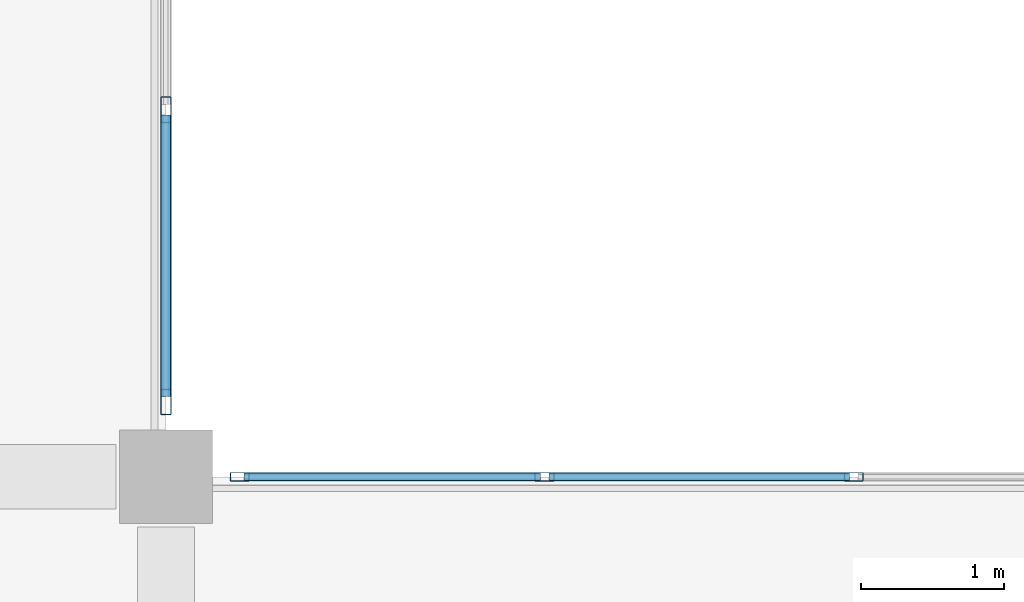
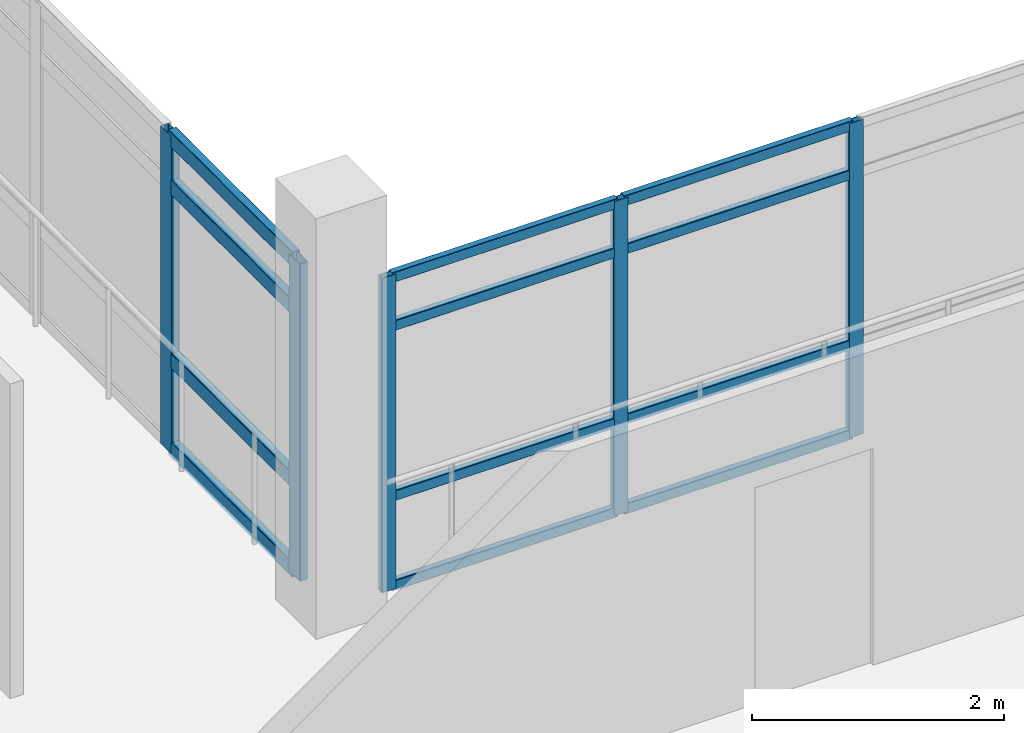
# One storey, part 17 of 72: 17 members, 2 elements without a shape of their own.
"""IFC4 building model written with IfcOpenShell, lengths in metres."""

from ifc_helpers import new_model, si_unit, direction, frame, origin, origin_2d, place, context, subcontext, project, spatial, hollow_rectangle, extrude, material, layer, layer_set, material_profile, profile_set, type_object, element, aggregate, save


model = new_model("IFC4")

# Units and contexts
model_context = context("Model", 3, precision=1e-05, world=origin(), true_north=direction((0.0, 1.0)))
body_context = subcontext(model_context, "Body", "Model", "MODEL_VIEW")
ifc_project = project(units=[si_unit("LENGTHUNIT", "METRE"), si_unit("AREAUNIT", "SQUARE_METRE"), si_unit("VOLUMEUNIT", "CUBIC_METRE"), si_unit("PLANEANGLEUNIT", "RADIAN"), si_unit("MASSUNIT", "GRAM", prefix="KILO")], contexts=[model_context])

# Site, building, storey
site_placement = place(None, origin())
site = spatial("IfcSite", under=ifc_project, at=site_placement, CompositionType="ELEMENT")
building_placement = place(site_placement, origin())
building = spatial("IfcBuilding", under=site, at=building_placement, Name="Asteropetra Specialist Clinic", CompositionType="ELEMENT")
storey_placement = place(building_placement, frame((0.0, 0.0, 12.580078125)))
storey = spatial("IfcBuildingStorey", under=building, at=storey_placement, Name="L03", CompositionType="ELEMENT", Elevation=12.580078125)

# Curtain wall, members
ifc_material_1 = material(Name="Aluminium and low-E glass", Category="aluminium")
ifc_layer_1 = layer(ifc_material_1, 0.14990234375)
ifc_layer_set_1 = layer_set([ifc_layer_1], Name="Aluminium and low-E glass")
curtain_wall_type_1 = type_object("IfcCurtainWallType", Name="CW-SYS-02", PredefinedType="USERDEFINED", material=ifc_layer_set_1)
curtain_wall_1_placement = place(storey_placement, origin())
curtain_wall_1 = element("IfcCurtainWall", 1, at=curtain_wall_1_placement, inside=storey, type_object=curtain_wall_type_1, Name="Curtain Wall CW-041", ObjectType="UNITISED CURTAIN WALL", PredefinedType="USERDEFINED")
ifc_material_2 = material(Name="Aluminium 6063-T6", Category="aluminium")
ifc_material_profile_1 = material_profile(ifc_material_2, hollow_rectangle(XDim=0.06005859375, YDim=0.135009765625, WallThickness=0.00341796875, InnerFilletRadius=0.00341796875, OuterFilletRadius=0.007080078125, at=origin_2d()), Name="MUL 135x60x3.5")
ifc_profile_set_1 = profile_set([ifc_material_profile_1], Name="Aluminium 6063-T6")
member_type_1 = type_object("IfcMemberType", Name="CWM-135x60", PredefinedType="MULLION", material=ifc_profile_set_1)
member_1_placement = place(storey_placement, frame((10.114990234375, 76.800048828125, 0.0), z_axis=(0.0, 0.0, 1.0), x_axis=(0.0, 1.0, 0.0)))
member_1 = element("IfcMember", 2, at=member_1_placement, type_object=member_type_1, Name="CW-041 mullion 1", PredefinedType="MULLION", context=body_context, shape_type="SweptSolid", body=[
    extrude(hollow_rectangle(XDim=0.06005859375, YDim=0.135009765625, WallThickness=0.00341796875, InnerFilletRadius=0.00341796875, OuterFilletRadius=0.007080078125, at=origin_2d()), origin(), (0.0, 0.0, 1.0), 3.0498046875),
])
member_2_placement = place(storey_placement, frame((12.242431640625, 76.800048828125, 0.0), z_axis=(0.0, 0.0, 1.0), x_axis=(0.0, 1.0, 0.0)))
member_2 = element("IfcMember", 3, at=member_2_placement, type_object=member_type_1, Name="CW-041 mullion 2", PredefinedType="MULLION", context=body_context, shape_type="SweptSolid", body=[
    extrude(hollow_rectangle(XDim=0.06005859375, YDim=0.135009765625, WallThickness=0.00341796875, InnerFilletRadius=0.00341796875, OuterFilletRadius=0.007080078125, at=origin_2d()), origin(), (0.0, 0.0, 1.0), 3.0498046875),
])
member_3_placement = place(storey_placement, frame((14.39990234375, 76.800048828125, 0.0), z_axis=(0.0, 0.0, 1.0), x_axis=(0.0, 1.0, 0.0)))
member_3 = element("IfcMember", 4, at=member_3_placement, type_object=member_type_1, Name="CW-041 mullion 3", PredefinedType="MULLION", context=body_context, shape_type="SweptSolid", body=[
    extrude(hollow_rectangle(XDim=0.06005859375, YDim=0.135009765625, WallThickness=0.00341796875, InnerFilletRadius=0.00341796875, OuterFilletRadius=0.007080078125, at=origin_2d()), origin(), (0.0, 0.0, 1.0), 3.0498046875),
])

ifc_material_3 = material(Name="Aluminium and low-E glass", Category="aluminium")
ifc_layer_2 = layer(ifc_material_3, 0.179931640625)
ifc_layer_set_2 = layer_set([ifc_layer_2], Name="Aluminium and low-E glass")
curtain_wall_type_2 = type_object("IfcCurtainWallType", Name="CW-SYS-04", PredefinedType="USERDEFINED", material=ifc_layer_set_2)
curtain_wall_2_placement = place(storey_placement, origin())
curtain_wall_2 = element("IfcCurtainWall", 5, at=curtain_wall_2_placement, inside=storey, type_object=curtain_wall_type_2, Name="Curtain Wall CW-045", ObjectType="UNITISED CURTAIN WALL", PredefinedType="USERDEFINED")
ifc_material_4 = material(Name="Aluminium 6063-T6", Category="aluminium")
ifc_material_profile_2 = material_profile(ifc_material_4, hollow_rectangle(XDim=0.074951171875, YDim=0.179931640625, WallThickness=0.00390625, InnerFilletRadius=0.00390625, OuterFilletRadius=0.008056640625, at=origin_2d()), Name="MUL 180x75x4.0")
ifc_profile_set_2 = profile_set([ifc_material_profile_2], Name="Aluminium 6063-T6")
member_type_2 = type_object("IfcMemberType", Name="CWM-180x75", PredefinedType="MULLION", material=ifc_profile_set_2)
member_4_placement = place(storey_placement, frame((9.60009765625, 79.361572265625, 0.0), z_axis=(0.0, 0.0, 1.0), x_axis=(1.0, 0.0, 0.0)))
member_4 = element("IfcMember", 6, at=member_4_placement, type_object=member_type_2, Name="CW-045 mullion 3", PredefinedType="MULLION", context=body_context, shape_type="SweptSolid", body=[
    extrude(hollow_rectangle(XDim=0.074951171875, YDim=0.179931640625, WallThickness=0.00390625, InnerFilletRadius=0.00390625, OuterFilletRadius=0.008056640625, at=origin_2d()), origin(), (0.0, 0.0, 1.0), 3.079833984375),
])
member_5_placement = place(storey_placement, frame((9.60009765625, 77.322509765625, 0.0), z_axis=(0.0, 0.0, 1.0), x_axis=(1.0, 0.0, 0.0)))
member_5 = element("IfcMember", 7, at=member_5_placement, type_object=member_type_2, Name="CW-045 mullion 4", PredefinedType="MULLION", context=body_context, shape_type="SweptSolid", body=[
    extrude(hollow_rectangle(XDim=0.074951171875, YDim=0.179931640625, WallThickness=0.00390625, InnerFilletRadius=0.00390625, OuterFilletRadius=0.008056640625, at=origin_2d()), origin(), (0.0, 0.0, 1.0), 3.079833984375),
])

# Member
ifc_material_5 = material(Name="Aluminium 6063-T6", Category="aluminium")
ifc_material_profile_3 = material_profile(ifc_material_5, hollow_rectangle(XDim=0.06005859375, YDim=0.10009765625, WallThickness=0.00341796875, InnerFilletRadius=0.00341796875, OuterFilletRadius=0.007080078125, at=origin_2d()), Name="TRN 100x60x3.5")
ifc_profile_set_3 = profile_set([ifc_material_profile_3], Name="Aluminium 6063-T6")
member_type_3 = type_object("IfcMemberType", Name="CWT-100x60", PredefinedType="USERDEFINED", material=ifc_profile_set_3)
member_6_placement = place(storey_placement, frame((10.14501953125, 76.800048828125, 0.030029296875), z_axis=(1.0, 0.0, 0.0), x_axis=(0.0, 1.0, 0.0)))
member_6 = element("IfcMember", 8, at=member_6_placement, type_object=member_type_3, Name="CW-041 transom 1.1", ObjectType="TRANSOM", PredefinedType="USERDEFINED", context=body_context, shape_type="SweptSolid", body=[
    extrude(hollow_rectangle(XDim=0.06005859375, YDim=0.10009765625, WallThickness=0.00341796875, InnerFilletRadius=0.00341796875, OuterFilletRadius=0.007080078125, at=origin_2d()), origin(), (0.0, 0.0, 1.0), 2.0673828125),
])

member_7_placement = place(storey_placement, frame((10.14501953125, 76.800048828125, 0.89990234375), z_axis=(1.0, 0.0, 0.0), x_axis=(0.0, 1.0, 0.0)))
member_7 = element("IfcMember", 9, at=member_7_placement, type_object=member_type_3, Name="CW-041 transom 1.2", ObjectType="TRANSOM", PredefinedType="USERDEFINED", context=body_context, shape_type="SweptSolid", body=[
    extrude(hollow_rectangle(XDim=0.06005859375, YDim=0.10009765625, WallThickness=0.00341796875, InnerFilletRadius=0.00341796875, OuterFilletRadius=0.007080078125, at=origin_2d()), origin(), (0.0, 0.0, 1.0), 2.0673828125),
])

member_8_placement = place(storey_placement, frame((10.14501953125, 76.800048828125, 2.5498046875), z_axis=(1.0, 0.0, 0.0), x_axis=(0.0, 1.0, 0.0)))
member_8 = element("IfcMember", 10, at=member_8_placement, type_object=member_type_3, Name="CW-041 transom 1.3", ObjectType="TRANSOM", PredefinedType="USERDEFINED", context=body_context, shape_type="SweptSolid", body=[
    extrude(hollow_rectangle(XDim=0.06005859375, YDim=0.10009765625, WallThickness=0.00341796875, InnerFilletRadius=0.00341796875, OuterFilletRadius=0.007080078125, at=origin_2d()), origin(), (0.0, 0.0, 1.0), 2.0673828125),
])

member_9_placement = place(storey_placement, frame((10.14501953125, 76.800048828125, 3.02001953125), z_axis=(1.0, 0.0, 0.0), x_axis=(0.0, 1.0, 0.0)))
member_9 = element("IfcMember", 11, at=member_9_placement, type_object=member_type_3, Name="CW-041 transom 1.4", ObjectType="TRANSOM", PredefinedType="USERDEFINED", context=body_context, shape_type="SweptSolid", body=[
    extrude(hollow_rectangle(XDim=0.06005859375, YDim=0.10009765625, WallThickness=0.00341796875, InnerFilletRadius=0.00341796875, OuterFilletRadius=0.007080078125, at=origin_2d()), origin(), (0.0, 0.0, 1.0), 2.0673828125),
])

member_10_placement = place(storey_placement, frame((12.2724609375, 76.800048828125, 0.030029296875), z_axis=(1.0, 0.0, 0.0), x_axis=(0.0, 1.0, 0.0)))
member_10 = element("IfcMember", 12, at=member_10_placement, type_object=member_type_3, Name="CW-041 transom 2.1", ObjectType="TRANSOM", PredefinedType="USERDEFINED", context=body_context, shape_type="SweptSolid", body=[
    extrude(hollow_rectangle(XDim=0.06005859375, YDim=0.10009765625, WallThickness=0.00341796875, InnerFilletRadius=0.00341796875, OuterFilletRadius=0.007080078125, at=origin_2d()), origin(), (0.0, 0.0, 1.0), 2.09765625),
])

member_11_placement = place(storey_placement, frame((12.2724609375, 76.800048828125, 0.89990234375), z_axis=(1.0, 0.0, 0.0), x_axis=(0.0, 1.0, 0.0)))
member_11 = element("IfcMember", 13, at=member_11_placement, type_object=member_type_3, Name="CW-041 transom 2.2", ObjectType="TRANSOM", PredefinedType="USERDEFINED", context=body_context, shape_type="SweptSolid", body=[
    extrude(hollow_rectangle(XDim=0.06005859375, YDim=0.10009765625, WallThickness=0.00341796875, InnerFilletRadius=0.00341796875, OuterFilletRadius=0.007080078125, at=origin_2d()), origin(), (0.0, 0.0, 1.0), 2.09765625),
])

member_12_placement = place(storey_placement, frame((12.2724609375, 76.800048828125, 2.5498046875), z_axis=(1.0, 0.0, 0.0), x_axis=(0.0, 1.0, 0.0)))
member_12 = element("IfcMember", 14, at=member_12_placement, type_object=member_type_3, Name="CW-041 transom 2.3", ObjectType="TRANSOM", PredefinedType="USERDEFINED", context=body_context, shape_type="SweptSolid", body=[
    extrude(hollow_rectangle(XDim=0.06005859375, YDim=0.10009765625, WallThickness=0.00341796875, InnerFilletRadius=0.00341796875, OuterFilletRadius=0.007080078125, at=origin_2d()), origin(), (0.0, 0.0, 1.0), 2.09765625),
])

member_13_placement = place(storey_placement, frame((12.2724609375, 76.800048828125, 3.02001953125), z_axis=(1.0, 0.0, 0.0), x_axis=(0.0, 1.0, 0.0)))
member_13 = element("IfcMember", 15, at=member_13_placement, type_object=member_type_3, Name="CW-041 transom 2.4", ObjectType="TRANSOM", PredefinedType="USERDEFINED", context=body_context, shape_type="SweptSolid", body=[
    extrude(hollow_rectangle(XDim=0.06005859375, YDim=0.10009765625, WallThickness=0.00341796875, InnerFilletRadius=0.00341796875, OuterFilletRadius=0.007080078125, at=origin_2d()), origin(), (0.0, 0.0, 1.0), 2.09765625),
])

aggregate(curtain_wall_1, [member_1, member_2, member_3, member_6, member_7, member_8, member_9, member_10, member_11, member_12, member_13])

ifc_material_6 = material(Name="Aluminium 6063-T6", Category="aluminium")
ifc_material_profile_4 = material_profile(ifc_material_6, hollow_rectangle(XDim=0.074951171875, YDim=0.14990234375, WallThickness=0.00390625, InnerFilletRadius=0.00390625, OuterFilletRadius=0.008056640625, at=origin_2d()), Name="TRN 150x75x4.0")
ifc_profile_set_4 = profile_set([ifc_material_profile_4], Name="Aluminium 6063-T6")
member_type_4 = type_object("IfcMemberType", Name="CWT-150x75", PredefinedType="USERDEFINED", material=ifc_profile_set_4)
member_14_placement = place(storey_placement, frame((9.60009765625, 79.32421875, 0.037353515625), z_axis=(0.0, -1.0, 0.0), x_axis=(1.0, 0.0, 0.0)))
member_14 = element("IfcMember", 16, at=member_14_placement, type_object=member_type_4, Name="CW-045 transom 3.1", ObjectType="TRANSOM", PredefinedType="USERDEFINED", context=body_context, shape_type="SweptSolid", body=[
    extrude(hollow_rectangle(XDim=0.074951171875, YDim=0.14990234375, WallThickness=0.00390625, InnerFilletRadius=0.00390625, OuterFilletRadius=0.008056640625, at=origin_2d()), origin(), (0.0, 0.0, 1.0), 1.964111328125),
])

member_15_placement = place(storey_placement, frame((9.60009765625, 79.32421875, 0.89990234375), z_axis=(0.0, -1.0, 0.0), x_axis=(1.0, 0.0, 0.0)))
member_15 = element("IfcMember", 17, at=member_15_placement, type_object=member_type_4, Name="CW-045 transom 3.2", ObjectType="TRANSOM", PredefinedType="USERDEFINED", context=body_context, shape_type="SweptSolid", body=[
    extrude(hollow_rectangle(XDim=0.074951171875, YDim=0.14990234375, WallThickness=0.00390625, InnerFilletRadius=0.00390625, OuterFilletRadius=0.008056640625, at=origin_2d()), origin(), (0.0, 0.0, 1.0), 1.964111328125),
])

member_16_placement = place(storey_placement, frame((9.60009765625, 79.32421875, 2.579833984375), z_axis=(0.0, -1.0, 0.0), x_axis=(1.0, 0.0, 0.0)))
member_16 = element("IfcMember", 18, at=member_16_placement, type_object=member_type_4, Name="CW-045 transom 3.3", ObjectType="TRANSOM", PredefinedType="USERDEFINED", context=body_context, shape_type="SweptSolid", body=[
    extrude(hollow_rectangle(XDim=0.074951171875, YDim=0.14990234375, WallThickness=0.00390625, InnerFilletRadius=0.00390625, OuterFilletRadius=0.008056640625, at=origin_2d()), origin(), (0.0, 0.0, 1.0), 1.964111328125),
])

member_17_placement = place(storey_placement, frame((9.60009765625, 79.32421875, 3.04248046875), z_axis=(0.0, -1.0, 0.0), x_axis=(1.0, 0.0, 0.0)))
member_17 = element("IfcMember", 19, at=member_17_placement, type_object=member_type_4, Name="CW-045 transom 3.4", ObjectType="TRANSOM", PredefinedType="USERDEFINED", context=body_context, shape_type="SweptSolid", body=[
    extrude(hollow_rectangle(XDim=0.074951171875, YDim=0.14990234375, WallThickness=0.00390625, InnerFilletRadius=0.00390625, OuterFilletRadius=0.008056640625, at=origin_2d()), origin(), (0.0, 0.0, 1.0), 1.964111328125),
])

aggregate(curtain_wall_2, [member_4, member_5, member_14, member_15, member_16, member_17])

save(model, "model.ifc")
